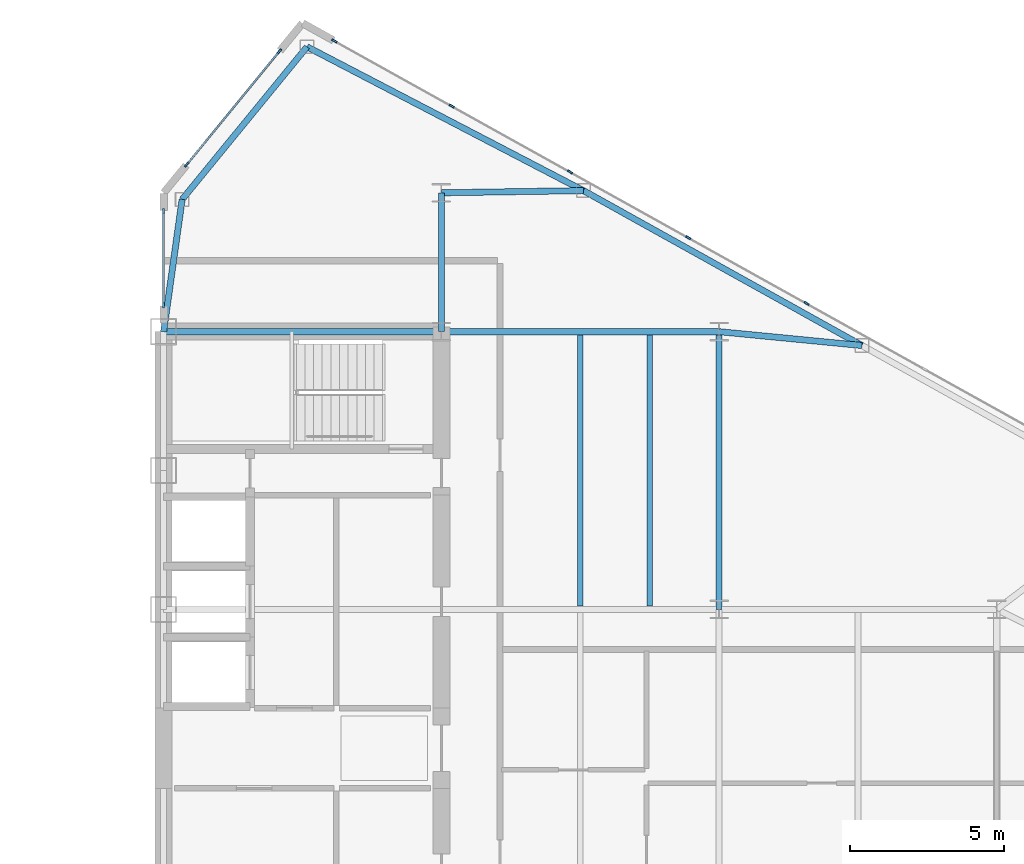
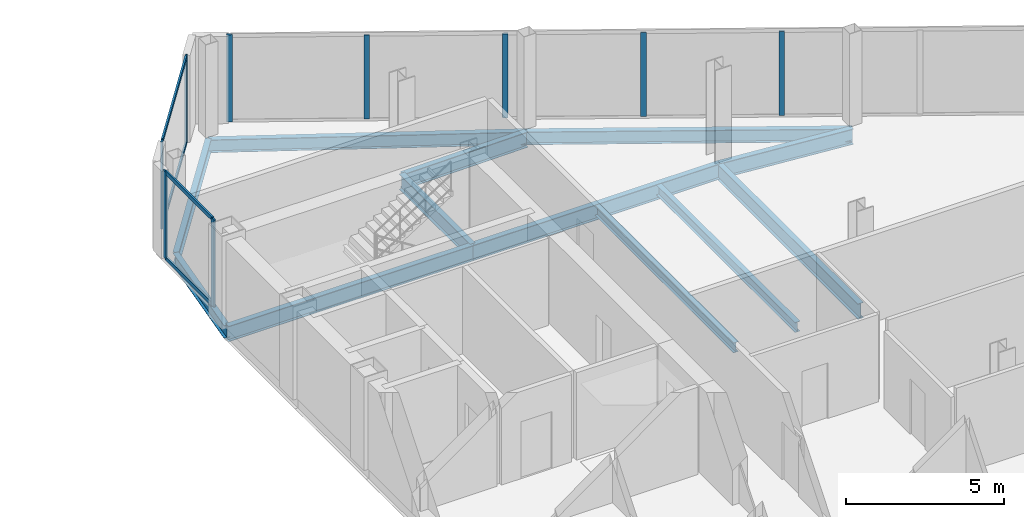
# One storey, part 15 of 25: 13 members, 12 beams, 3 elements without a shape of their own.
"""IFC4 building model written with IfcOpenShell, lengths in metres."""

from ifc_helpers import new_model, si_unit, direction, frame, origin, origin_2d, place, context, subcontext, project, spatial, rectangle, i_section, extrude, source, transform, mapped, material, layer, layer_set, material_profile, profile_set, type_object, type_shapes, element, aggregate, save


model = new_model("IFC4")

# Units and contexts
model_context = context("Model", 3, precision=1e-05, world=origin(), true_north=direction((0.0, 1.0)))
body_context = subcontext(model_context, "Body", "Model", "MODEL_VIEW")
ifc_project = project(units=[si_unit("LENGTHUNIT", "METRE"), si_unit("AREAUNIT", "SQUARE_METRE"), si_unit("VOLUMEUNIT", "CUBIC_METRE"), si_unit("PLANEANGLEUNIT", "RADIAN"), si_unit("MASSUNIT", "GRAM", prefix="KILO")], contexts=[model_context])

# Site, building, storey
site_placement = place(None, origin())
site = spatial("IfcSite", under=ifc_project, at=site_placement, CompositionType="ELEMENT")
building_placement = place(site_placement, origin())
building = spatial("IfcBuilding", under=site, at=building_placement, Name="Seokmaru Belvedere", CompositionType="ELEMENT")
storey_placement = place(building_placement, frame((0.0, 0.0, 185.10009765625)))
storey = spatial("IfcBuildingStorey", under=building, at=storey_placement, Name="L49", CompositionType="ELEMENT", Elevation=185.10009765625)

# Beams
ifc_material_1 = material(Name="Steel SM355 (355 MPa)", Category="steel")
ifc_material_profile_1 = material_profile(ifc_material_1, i_section(OverallWidth=0.199951171875, OverallDepth=0.60009765625, WebThickness=0.010986328125, FlangeThickness=0.01708984375, at=origin_2d()), Name="H-600x200x11x17")
ifc_profile_set_1 = profile_set([ifc_material_profile_1], Name="Steel SM355 (355 MPa)")
beam_type_1 = type_object("IfcBeamType", Name="Primary Floor Girder H-600", PredefinedType="BEAM", material=ifc_profile_set_1)
shared_shape_1 = source(origin(), body_context, "Body", "SweptSolid", [
    extrude(i_section(OverallWidth=0.199951171875, OverallDepth=0.60009765625, WebThickness=0.010986328125, FlangeThickness=0.01708984375, at=origin_2d()), origin(), (0.0, 0.0, 1.0), 9.0),
])
for number, where, z_axis, x_axis, name in (
    (1, (45.5, 4.5, -0.52001953125), (0.0, 1.0, 0.0), (-1.0, 0.0, 0.0), "L49 E Interior Grid Girder 3"),
    (2, (27.5, 13.5, -0.52001953125), (1.0, 0.0, 0.0), (0.0, 1.0, 0.0), "L49 E Core Tie Girder 4"),
    (3, (36.5, 13.5, -0.52001953125), (1.0, 0.0, 0.0), (0.0, 1.0, 0.0), "L49 E Wing Primary Girder 4"),
):
    element("IfcBeam", number, at=place(storey_placement, frame(where, z_axis=z_axis, x_axis=x_axis)), inside=storey, type_object=beam_type_1, Name=name, PredefinedType="BEAM", context=body_context, shape_type="MappedRepresentation", body=[
        mapped(shared_shape_1, transform((0.0, 0.0, 0.0), scale=1.0)),
    ])
ifc_material_profile_2 = material_profile(ifc_material_1, i_section(OverallWidth=0.18505859375, OverallDepth=0.389892578125, WebThickness=0.008056640625, FlangeThickness=0.011962890625, at=origin_2d()), Name="H-390x185x8x12")
ifc_profile_set_2 = profile_set([ifc_material_profile_2], Name="Steel SM355 (355 MPa)")
beam_type_2 = type_object("IfcBeamType", Name="Secondary Floor Joist H-350", PredefinedType="JOIST", material=ifc_profile_set_2)
shared_shape_2 = source(origin(), body_context, "Body", "SweptSolid", [
    extrude(i_section(OverallWidth=0.18505859375, OverallDepth=0.389892578125, WebThickness=0.008056640625, FlangeThickness=0.011962890625, at=origin_2d()), origin(), (0.0, 0.0, 1.0), 8.7900390625),
])
type_shapes(beam_type_2, [shared_shape_2])
for number, where, z_axis, x_axis, name in (
    (4, (43.25, 4.60498046875, -0.4150390625), (0.0, 1.0, 0.0), (-1.0, 0.0, 0.0), "L49 E Wing Inner Secondary Joist 2"),
    (5, (41.0, 4.60498046875, -0.4150390625), (0.0, 1.0, 0.0), (-1.0, 0.0, 0.0), "L49 E Secondary Floor Joist 3"),
):
    element("IfcBeam", number, at=place(storey_placement, frame(where, z_axis=z_axis, x_axis=x_axis)), inside=storey, type_object=beam_type_2, Name=name, PredefinedType="JOIST", context=body_context, shape_type="MappedRepresentation", body=[
        mapped(shared_shape_2, transform((0.0, 0.0, 0.0), scale=1.0)),
    ])
shared_shape_3 = source(origin(), body_context, "Body", "SweptSolid", [
    extrude(i_section(OverallWidth=0.199951171875, OverallDepth=0.60009765625, WebThickness=0.010986328125, FlangeThickness=0.01708984375, at=origin_2d()), origin(), (0.0, 0.0, 1.0), 4.5),
])
beam_1_placement = place(storey_placement, frame((36.5, 13.5, -0.52001953125), z_axis=(0.0, 1.0, 0.0), x_axis=(-1.0, 0.0, 0.0)))
element("IfcBeam", 6, at=beam_1_placement, inside=storey, type_object=beam_type_1, Name="L49 E Core Shoulder Girder N", PredefinedType="BEAM", context=body_context, shape_type="MappedRepresentation", body=[
    mapped(shared_shape_3, transform((0.0, 0.0, 0.0), scale=1.0)),
])
ifc_material_profile_3 = material_profile(ifc_material_1, i_section(OverallWidth=0.199951171875, OverallDepth=0.5, WebThickness=0.010009765625, FlangeThickness=0.01611328125, at=origin_2d()), Name="H-500x200x10x16")
ifc_profile_set_3 = profile_set([ifc_material_profile_3], Name="Steel SM355 (355 MPa)")
beam_type_3 = type_object("IfcBeamType", Name="Perimeter Spandrel Beam H-500", PredefinedType="SPANDREL", material=ifc_profile_set_3)
shared_shape_4 = source(origin(), body_context, "Body", "SweptSolid", [
    extrude(i_section(OverallWidth=0.199951171875, OverallDepth=0.5, WebThickness=0.010009765625, FlangeThickness=0.01611328125, at=origin_2d()), origin(), (0.0, 0.0, 1.0), 10.09716796875),
])
beam_2_placement = place(storey_placement, frame((32.146728515625, 22.731689453125, -0.47021484375), z_axis=(0.887085728914, -0.461604711369, 0.0), x_axis=(0.461604711369, 0.887085728914, 0.0)))
element("IfcBeam", 7, at=beam_2_placement, inside=storey, type_object=beam_type_3, Name="L49 E Faceted Flank Spandrel N-1", PredefinedType="SPANDREL", context=body_context, shape_type="MappedRepresentation", body=[
    mapped(shared_shape_4, transform((0.0, 0.0, 0.0), scale=1.0)),
])
shared_shape_5 = source(origin(), body_context, "Body", "SweptSolid", [
    extrude(i_section(OverallWidth=0.199951171875, OverallDepth=0.5, WebThickness=0.010009765625, FlangeThickness=0.01611328125, at=origin_2d()), origin(), (0.0, 0.0, 1.0), 10.327392578125),
])
beam_3_placement = place(storey_placement, frame((41.103759765625, 18.07080078125, -0.47021484375), z_axis=(0.873924120588, -0.486062374037, 0.0), x_axis=(0.486062374037, 0.873924120588, 0.0)))
element("IfcBeam", 8, at=beam_3_placement, inside=storey, type_object=beam_type_3, Name="L49 E Faceted Flank Spandrel N-2", PredefinedType="SPANDREL", context=body_context, shape_type="MappedRepresentation", body=[
    mapped(shared_shape_5, transform((0.0, 0.0, 0.0), scale=1.0)),
])
shared_shape_6 = source(origin(), body_context, "Body", "SweptSolid", [
    extrude(i_section(OverallWidth=0.199951171875, OverallDepth=0.5, WebThickness=0.010009765625, FlangeThickness=0.01611328125, at=origin_2d()), origin(), (0.0, 0.0, 1.0), 6.390380859375),
])
beam_4_placement = place(storey_placement, frame((32.146728515625, 22.731689453125, -0.47021484375), z_axis=(-0.63324403161, -0.7739521926, 0.0), x_axis=(0.7739521926, -0.63324403161, 0.0)))
element("IfcBeam", 9, at=beam_4_placement, inside=storey, type_object=beam_type_3, Name="L49 E Shoulder Chamfer Spandrel N", PredefinedType="SPANDREL", context=body_context, shape_type="MappedRepresentation", body=[
    mapped(shared_shape_6, transform((0.0, 0.0, 0.0), scale=1.0)),
])
shared_shape_7 = source(origin(), body_context, "Body", "SweptSolid", [
    extrude(i_section(OverallWidth=0.199951171875, OverallDepth=0.5, WebThickness=0.010009765625, FlangeThickness=0.01611328125, at=origin_2d()), origin(), (0.0, 0.0, 1.0), 4.32763671875),
])
type_shapes(beam_type_3, [shared_shape_4, shared_shape_5, shared_shape_6, shared_shape_7])
beam_5_placement = place(storey_placement, frame((28.10009765625, 17.785888671875, -0.47021484375), z_axis=(-0.138664443237, -0.990339422714, 0.0), x_axis=(0.990339422714, -0.138664443237, 0.0)))
element("IfcBeam", 10, at=beam_5_placement, inside=storey, type_object=beam_type_3, Name="L49 E Shoulder Spine Spandrel N", PredefinedType="SPANDREL", context=body_context, shape_type="MappedRepresentation", body=[
    mapped(shared_shape_7, transform((0.0, 0.0, 0.0), scale=1.0)),
])
shared_shape_8 = source(origin(), body_context, "Body", "SweptSolid", [
    extrude(i_section(OverallWidth=0.199951171875, OverallDepth=0.60009765625, WebThickness=0.010986328125, FlangeThickness=0.01708984375, at=origin_2d()), origin(), (0.0, 0.0, 1.0), 4.604248046875),
])
beam_6_placement = place(storey_placement, frame((41.103759765625, 18.07080078125, -0.52001953125), z_axis=(-0.999881765622, -0.01537708607, 0.0), x_axis=(0.01537708607, -0.999881765622, 0.0)))
element("IfcBeam", 11, at=beam_6_placement, inside=storey, type_object=beam_type_1, Name="L49 E Flank Radial Floor Girder N-1", PredefinedType="BEAM", context=body_context, shape_type="MappedRepresentation", body=[
    mapped(shared_shape_8, transform((0.0, 0.0, 0.0), scale=1.0)),
])
shared_shape_9 = source(origin(), body_context, "Body", "SweptSolid", [
    extrude(i_section(OverallWidth=0.199951171875, OverallDepth=0.60009765625, WebThickness=0.010986328125, FlangeThickness=0.01708984375, at=origin_2d()), origin(), (0.0, 0.0, 1.0), 4.65087890625),
])
type_shapes(beam_type_1, [shared_shape_1, shared_shape_3, shared_shape_8, shared_shape_9])
beam_7_placement = place(storey_placement, frame((50.129150390625, 13.051025390625, -0.52001953125), z_axis=(-0.995329534874, 0.09653557379, 0.0), x_axis=(-0.09653557379, -0.995329534874, 0.0)))
element("IfcBeam", 12, at=beam_7_placement, inside=storey, type_object=beam_type_1, Name="L49 E Flank Radial Floor Girder N-2", PredefinedType="BEAM", context=body_context, shape_type="MappedRepresentation", body=[
    mapped(shared_shape_9, transform((0.0, 0.0, 0.0), scale=1.0)),
])

# Curtain wall, members
ifc_material_2 = material(Name="Bronze Triple Insulating Glass", Category="glass")
ifc_layer = layer(ifc_material_2, 0.179931640625)
ifc_layer_set = layer_set([ifc_layer], Name="Bronze Triple Insulating Glass")
curtain_wall_type = type_object("IfcCurtainWallType", Name="High-Rise Wind-Corner Curtain Wall System CW-5", PredefinedType="NOTDEFINED", material=ifc_layer_set)
curtain_wall_1_placement = place(storey_placement, origin())
curtain_wall_1 = element("IfcCurtainWall", 13, at=curtain_wall_1_placement, inside=storey, type_object=curtain_wall_type, Name="L49 Curtain Wall ESP_2", PredefinedType="NOTDEFINED")
ifc_material_3 = material(Name="Anodised Bronze Aluminium", Category="aluminium")
ifc_material_profile_4 = material_profile(ifc_material_3, rectangle(XDim=0.06494140625, YDim=0.14990234375, at=origin_2d()), Name="CW-T-65x150")
ifc_profile_set_4 = profile_set([ifc_material_profile_4], Name="Anodised Bronze Aluminium")
member_type_1 = type_object("IfcMemberType", Name="Bronze Unitised Transom 65x150", PredefinedType="USERDEFINED", material=ifc_profile_set_4)
shared_shape_10 = source(origin(), body_context, "Body", "SweptSolid", [
    extrude(rectangle(XDim=0.06494140625, YDim=0.14990234375, at=origin_2d()), origin(), (0.0, 0.0, 1.0), 2.969970703125),
])
member_1_placement = place(storey_placement, frame((27.5, 17.364990234375, 0.032470703125), z_axis=(0.0, -1.0, 0.0), x_axis=(1.0, 0.0, 0.0)))
member_1 = element("IfcMember", 14, at=member_1_placement, type_object=member_type_1, Name="CW:L49:ESP_2 Continuous Transom 1", ObjectType="TRANSOM", PredefinedType="USERDEFINED", context=body_context, shape_type="MappedRepresentation", body=[
    mapped(shared_shape_10, transform((0.0, 0.0, 0.0), scale=1.0)),
])
member_2_placement = place(storey_placement, frame((27.5, 17.364990234375, 3.347412109375), z_axis=(0.0, -1.0, 0.0), x_axis=(1.0, 0.0, 0.0)))
member_2 = element("IfcMember", 15, at=member_2_placement, type_object=member_type_1, Name="CW:L49:ESP_2 Continuous Transom 2", ObjectType="TRANSOM", PredefinedType="USERDEFINED", context=body_context, shape_type="MappedRepresentation", body=[
    mapped(shared_shape_10, transform((0.0, 0.0, 0.0), scale=1.0)),
])

curtain_wall_2_placement = place(storey_placement, origin())
curtain_wall_2 = element("IfcCurtainWall", 16, at=curtain_wall_2_placement, inside=storey, type_object=curtain_wall_type, Name="L49 Curtain Wall EF4", PredefinedType="NOTDEFINED")
shared_shape_11 = source(origin(), body_context, "Body", "SweptSolid", [
    extrude(rectangle(XDim=0.06494140625, YDim=0.14990234375, at=origin_2d()), origin(), (0.0, 0.0, 1.0), 4.67626953125),
])
type_shapes(member_type_1, [shared_shape_10, shared_shape_11])
member_3_placement = place(storey_placement, frame((31.230712890625, 22.5595703125, 0.032470703125), z_axis=(-0.633277591216, -0.773924733074, 0.0), x_axis=(0.773924733074, -0.633277591216, 0.0)))
member_3 = element("IfcMember", 17, at=member_3_placement, type_object=member_type_1, Name="CW:L49:EF4 Continuous Transom 1", ObjectType="TRANSOM", PredefinedType="USERDEFINED", context=body_context, shape_type="MappedRepresentation", body=[
    mapped(shared_shape_11, transform((0.0, 0.0, 0.0), scale=1.0)),
])
member_4_placement = place(storey_placement, frame((31.230712890625, 22.5595703125, 3.347412109375), z_axis=(-0.633277591216, -0.773924733074, 0.0), x_axis=(0.773924733074, -0.633277591216, 0.0)))
member_4 = element("IfcMember", 18, at=member_4_placement, type_object=member_type_1, Name="CW:L49:EF4 Continuous Transom 2", ObjectType="TRANSOM", PredefinedType="USERDEFINED", context=body_context, shape_type="MappedRepresentation", body=[
    mapped(shared_shape_11, transform((0.0, 0.0, 0.0), scale=1.0)),
])

# Curtain wall, member
curtain_wall_3_placement = place(storey_placement, origin())
curtain_wall_3 = element("IfcCurtainWall", 19, at=curtain_wall_3_placement, inside=storey, type_object=curtain_wall_type, Name="L49 Curtain Wall EF3", PredefinedType="NOTDEFINED")
ifc_material_profile_5 = material_profile(ifc_material_3, rectangle(XDim=0.06494140625, YDim=0.179931640625, at=origin_2d()), Name="CW-M-65x180")
ifc_profile_set_5 = profile_set([ifc_material_profile_5], Name="Anodised Bronze Aluminium")
member_type_2 = type_object("IfcMemberType", Name="Bronze Unitised Mullion 65x180", PredefinedType="MULLION", material=ifc_profile_set_5)
shared_shape_12 = source(origin(), body_context, "Body", "SweptSolid", [
    extrude(rectangle(XDim=0.06494140625, YDim=0.179931640625, at=origin_2d()), origin(), (0.0, 0.0, 1.0), 3.3798828125),
])
member_5_placement = place(storey_placement, frame((33.033447265625, 22.92529296875, 0.0), z_axis=(0.0, 0.0, 1.0), x_axis=(-0.486047125147, -0.873932601598, 0.0)))
member_5 = element("IfcMember", 20, at=member_5_placement, type_object=member_type_2, Name="CW:L49:EF3 Mullion 10", PredefinedType="MULLION", context=body_context, shape_type="MappedRepresentation", body=[
    mapped(shared_shape_12, transform((0.0, 0.0, 0.0), scale=1.0)),
])

# Member
member_6_placement = place(storey_placement, frame((31.251220703125, 22.584716796875, 0.0), z_axis=(0.0, 0.0, 1.0), x_axis=(0.773944112379, -0.633253907144, 0.0)))
member_6 = element("IfcMember", 21, at=member_6_placement, type_object=member_type_2, Name="CW:L49:EF4 Mullion 1", PredefinedType="MULLION", context=body_context, shape_type="MappedRepresentation", body=[
    mapped(shared_shape_12, transform((0.0, 0.0, 0.0), scale=1.0)),
])

member_7_placement = place(storey_placement, frame((28.248779296875, 18.915283203125, 0.0), z_axis=(0.0, 0.0, 1.0), x_axis=(0.773944112379, -0.633253907144, 0.0)))
member_7 = element("IfcMember", 22, at=member_7_placement, type_object=member_type_2, Name="CW:L49:EF4 Mullion 2", PredefinedType="MULLION", context=body_context, shape_type="MappedRepresentation", body=[
    mapped(shared_shape_12, transform((0.0, 0.0, 0.0), scale=1.0)),
])

aggregate(curtain_wall_2, [member_6, member_7, member_3, member_4])

member_8_placement = place(storey_placement, frame((27.5, 17.3974609375, 0.0), z_axis=(0.0, 0.0, 1.0), x_axis=(1.0, 0.0, 0.0)))
member_8 = element("IfcMember", 23, at=member_8_placement, type_object=member_type_2, Name="CW:L49:ESP_2 Mullion 1", PredefinedType="MULLION", context=body_context, shape_type="MappedRepresentation", body=[
    mapped(shared_shape_12, transform((0.0, 0.0, 0.0), scale=1.0)),
])

member_9_placement = place(storey_placement, frame((27.5, 14.362548828125, 0.0), z_axis=(0.0, 0.0, 1.0), x_axis=(1.0, 0.0, 0.0)))
member_9 = element("IfcMember", 24, at=member_9_placement, type_object=member_type_2, Name="CW:L49:ESP_2 Mullion 2", PredefinedType="MULLION", context=body_context, shape_type="MappedRepresentation", body=[
    mapped(shared_shape_12, transform((0.0, 0.0, 0.0), scale=1.0)),
])

aggregate(curtain_wall_1, [member_8, member_9, member_1, member_2])

shared_shape_13 = source(origin(), body_context, "Body", "SweptSolid", [
    extrude(rectangle(XDim=0.06494140625, YDim=0.179931640625, at=origin_2d()), origin(), (0.0, 0.0, 1.0), 3.25),
])
type_shapes(member_type_2, [shared_shape_12, shared_shape_13])
member_10_placement = place(storey_placement, frame((48.333984375, 14.415771484375, 0.06494140625), z_axis=(0.0, 0.0, 1.0), x_axis=(-0.486047125147, -0.873932601598, 0.0)))
member_10 = element("IfcMember", 25, at=member_10_placement, type_object=member_type_2, Name="CW:L49:EF3 Mullion 6", PredefinedType="MULLION", context=body_context, shape_type="MappedRepresentation", body=[
    mapped(shared_shape_13, transform((0.0, 0.0, 0.0), scale=1.0)),
])

member_11_placement = place(storey_placement, frame((44.501708984375, 16.547119140625, 0.06494140625), z_axis=(0.0, 0.0, 1.0), x_axis=(-0.486047125147, -0.873932601598, 0.0)))
member_11 = element("IfcMember", 26, at=member_11_placement, type_object=member_type_2, Name="CW:L49:EF3 Mullion 7", PredefinedType="MULLION", context=body_context, shape_type="MappedRepresentation", body=[
    mapped(shared_shape_13, transform((0.0, 0.0, 0.0), scale=1.0)),
])

member_12_placement = place(storey_placement, frame((40.66943359375, 18.67822265625, 0.06494140625), z_axis=(0.0, 0.0, 1.0), x_axis=(-0.486047125147, -0.873932601598, 0.0)))
member_12 = element("IfcMember", 27, at=member_12_placement, type_object=member_type_2, Name="CW:L49:EF3 Mullion 8", PredefinedType="MULLION", context=body_context, shape_type="MappedRepresentation", body=[
    mapped(shared_shape_13, transform((0.0, 0.0, 0.0), scale=1.0)),
])

member_13_placement = place(storey_placement, frame((36.837158203125, 20.809814453125, 0.06494140625), z_axis=(0.0, 0.0, 1.0), x_axis=(-0.486047125147, -0.873932601598, 0.0)))
member_13 = element("IfcMember", 28, at=member_13_placement, type_object=member_type_2, Name="CW:L49:EF3 Mullion 9", PredefinedType="MULLION", context=body_context, shape_type="MappedRepresentation", body=[
    mapped(shared_shape_13, transform((0.0, 0.0, 0.0), scale=1.0)),
])

aggregate(curtain_wall_3, [member_10, member_11, member_12, member_13, member_5])

save(model, "model.ifc")
